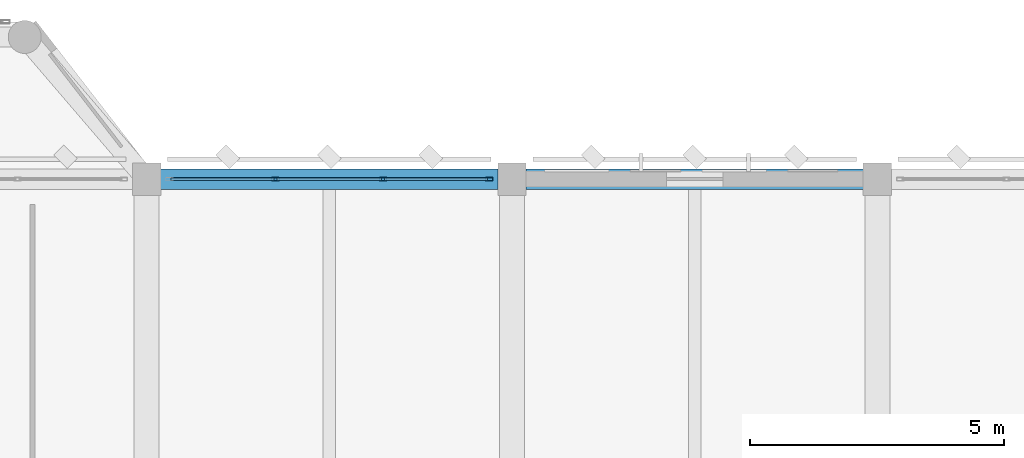
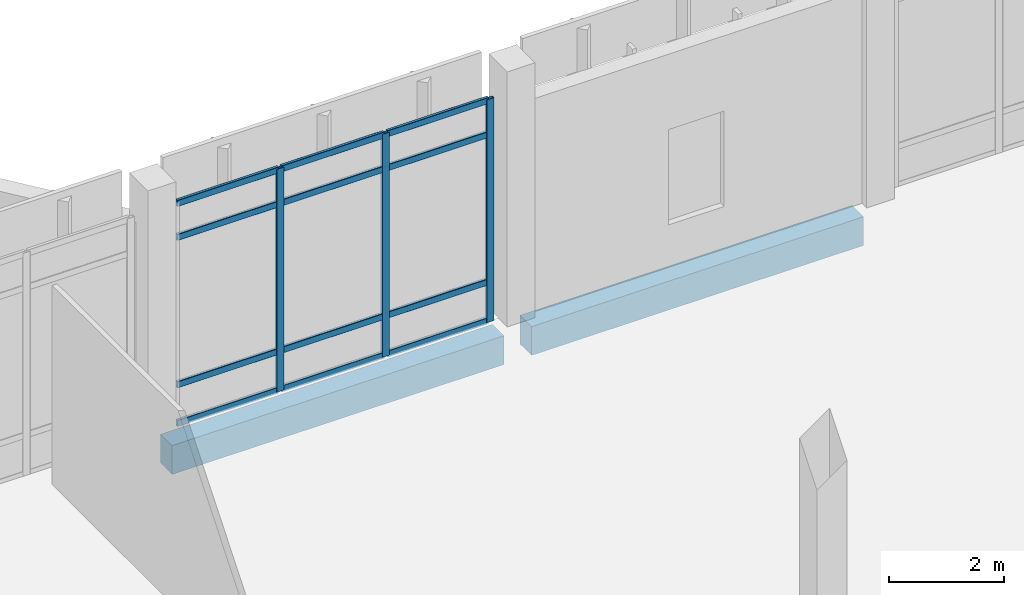
# One storey, part 133 of 180: 15 members, 2 beams, 1 element without a shape of its own.
"""IFC4 building model written with IfcOpenShell, lengths in metres."""

from ifc_helpers import new_model, si_unit, direction, frame, origin, origin_2d, place, context, subcontext, project, spatial, rectangle, hollow_rectangle, extrude, material, material_profile, profile_set, type_object, element, aggregate, save


model = new_model("IFC4")

# Units and contexts
model_context = context("Model", 3, precision=1e-05, world=origin(), true_north=direction((0.0, 1.0)))
body_context = subcontext(model_context, "Body", "Model", "MODEL_VIEW")
ifc_project = project(units=[si_unit("LENGTHUNIT", "METRE"), si_unit("AREAUNIT", "SQUARE_METRE"), si_unit("VOLUMEUNIT", "CUBIC_METRE"), si_unit("PLANEANGLEUNIT", "RADIAN"), si_unit("MASSUNIT", "GRAM", prefix="KILO")], contexts=[model_context])

# Site, building, storey
site_placement = place(None, origin())
site = spatial("IfcSite", under=ifc_project, at=site_placement, CompositionType="ELEMENT")
building_placement = place(site_placement, origin())
building = spatial("IfcBuilding", under=site, at=building_placement, Name="Lusvemor Sports Hall", CompositionType="ELEMENT")
storey_placement = place(building_placement, frame((0.0, 0.0, 5.39990234375)))
storey = spatial("IfcBuildingStorey", under=building, at=storey_placement, Name="L01", CompositionType="ELEMENT", Elevation=5.39990234375)

# Curtain wall, members
ifc_material_1 = material(Name="Thermally broken bronze-anodized aluminium", Category="aluminium")
curtain_wall_type = type_object("IfcCurtainWallType", Name="CW_WING_B", PredefinedType="NOTDEFINED", material=ifc_material_1)
curtain_wall_placement = place(storey_placement, origin())
curtain_wall = element("IfcCurtainWall", 1, at=curtain_wall_placement, inside=storey, type_object=curtain_wall_type, Name="Curtain Wall CW-L01-N-1-15", PredefinedType="NOTDEFINED")
ifc_material_2 = material(Name="Thermally broken bronze-anodized aluminium", Category="aluminium")
ifc_material_profile_1 = material_profile(ifc_material_2, hollow_rectangle(XDim=0.06494140625, YDim=0.14990234375, WallThickness=0.00390625, InnerFilletRadius=0.00390625, OuterFilletRadius=0.008056640625, at=origin_2d()), Name="CWMUL150x65x4")
ifc_profile_set_1 = profile_set([ifc_material_profile_1], Name="Thermally broken bronze-anodized aluminium")
member_type_1 = type_object("IfcMemberType", Name="CW_MUL_B", PredefinedType="MULLION", material=ifc_profile_set_1)
member_1_placement = place(storey_placement, frame((142.93994140625, 115.199951171875, 0.0), z_axis=(0.0, 0.0, 1.0), x_axis=(0.0, 1.0, 0.0)))
member_1 = element("IfcMember", 2, at=member_1_placement, type_object=member_type_1, Name="CW02 mullion 2", PredefinedType="MULLION", context=body_context, shape_type="SweptSolid", body=[
    extrude(hollow_rectangle(XDim=0.06494140625, YDim=0.14990234375, WallThickness=0.00390625, InnerFilletRadius=0.00390625, OuterFilletRadius=0.008056640625, at=origin_2d()), origin(), (0.0, 0.0, 1.0), 4.72021484375),
])
member_2_placement = place(storey_placement, frame((145.06005859375, 115.199951171875, 0.0), z_axis=(0.0, 0.0, 1.0), x_axis=(0.0, 1.0, 0.0)))
member_2 = element("IfcMember", 3, at=member_2_placement, type_object=member_type_1, Name="CW02 mullion 3", PredefinedType="MULLION", context=body_context, shape_type="SweptSolid", body=[
    extrude(hollow_rectangle(XDim=0.06494140625, YDim=0.14990234375, WallThickness=0.00390625, InnerFilletRadius=0.00390625, OuterFilletRadius=0.008056640625, at=origin_2d()), origin(), (0.0, 0.0, 1.0), 4.72021484375),
])
member_3_placement = place(storey_placement, frame((147.1474609375, 115.199951171875, 0.0), z_axis=(0.0, 0.0, 1.0), x_axis=(0.0, 1.0, 0.0)))
member_3 = element("IfcMember", 4, at=member_3_placement, type_object=member_type_1, Name="CW02 mullion 4", PredefinedType="MULLION", context=body_context, shape_type="SweptSolid", body=[
    extrude(hollow_rectangle(XDim=0.06494140625, YDim=0.14990234375, WallThickness=0.00390625, InnerFilletRadius=0.00390625, OuterFilletRadius=0.008056640625, at=origin_2d()), origin(), (0.0, 0.0, 1.0), 4.72021484375),
])
ifc_material_3 = material(Name="Thermally broken bronze-anodized aluminium", Category="aluminium")
ifc_material_profile_2 = material_profile(ifc_material_3, hollow_rectangle(XDim=0.06005859375, YDim=0.135009765625, WallThickness=0.00390625, InnerFilletRadius=0.00390625, OuterFilletRadius=0.008056640625, at=origin_2d()), Name="CWTRN135x60x4")
ifc_profile_set_2 = profile_set([ifc_material_profile_2], Name="Thermally broken bronze-anodized aluminium")
member_type_2 = type_object("IfcMemberType", Name="CW_TRN_B", PredefinedType="USERDEFINED", material=ifc_profile_set_2)
member_4_placement = place(storey_placement, frame((140.885009765625, 115.199951171875, 0.030029296875), z_axis=(1.0, 0.0, 0.0), x_axis=(0.0, 1.0, 0.0)))
member_4 = element("IfcMember", 5, at=member_4_placement, type_object=member_type_2, Name="CW02 transom 1.1", ObjectType="TRANSOM", PredefinedType="USERDEFINED", context=body_context, shape_type="SweptSolid", body=[
    extrude(hollow_rectangle(XDim=0.06005859375, YDim=0.135009765625, WallThickness=0.00390625, InnerFilletRadius=0.00390625, OuterFilletRadius=0.008056640625, at=origin_2d()), origin(), (0.0, 0.0, 1.0), 2.0224609375),
])
member_5_placement = place(storey_placement, frame((140.885009765625, 115.199951171875, 0.85009765625), z_axis=(1.0, 0.0, 0.0), x_axis=(0.0, 1.0, 0.0)))
member_5 = element("IfcMember", 6, at=member_5_placement, type_object=member_type_2, Name="CW02 transom 1.2", ObjectType="TRANSOM", PredefinedType="USERDEFINED", context=body_context, shape_type="SweptSolid", body=[
    extrude(hollow_rectangle(XDim=0.06005859375, YDim=0.135009765625, WallThickness=0.00390625, InnerFilletRadius=0.00390625, OuterFilletRadius=0.008056640625, at=origin_2d()), origin(), (0.0, 0.0, 1.0), 2.0224609375),
])
member_6_placement = place(storey_placement, frame((140.885009765625, 115.199951171875, 3.97021484375), z_axis=(1.0, 0.0, 0.0), x_axis=(0.0, 1.0, 0.0)))
member_6 = element("IfcMember", 7, at=member_6_placement, type_object=member_type_2, Name="CW02 transom 1.3", ObjectType="TRANSOM", PredefinedType="USERDEFINED", context=body_context, shape_type="SweptSolid", body=[
    extrude(hollow_rectangle(XDim=0.06005859375, YDim=0.135009765625, WallThickness=0.00390625, InnerFilletRadius=0.00390625, OuterFilletRadius=0.008056640625, at=origin_2d()), origin(), (0.0, 0.0, 1.0), 2.0224609375),
])
member_7_placement = place(storey_placement, frame((140.885009765625, 115.199951171875, 4.690185546875), z_axis=(1.0, 0.0, 0.0), x_axis=(0.0, 1.0, 0.0)))
member_7 = element("IfcMember", 8, at=member_7_placement, type_object=member_type_2, Name="CW02 transom 1.4", ObjectType="TRANSOM", PredefinedType="USERDEFINED", context=body_context, shape_type="SweptSolid", body=[
    extrude(hollow_rectangle(XDim=0.06005859375, YDim=0.135009765625, WallThickness=0.00390625, InnerFilletRadius=0.00390625, OuterFilletRadius=0.008056640625, at=origin_2d()), origin(), (0.0, 0.0, 1.0), 2.0224609375),
])
member_8_placement = place(storey_placement, frame((142.972412109375, 115.199951171875, 0.030029296875), z_axis=(1.0, 0.0, 0.0), x_axis=(0.0, 1.0, 0.0)))
member_8 = element("IfcMember", 9, at=member_8_placement, type_object=member_type_2, Name="CW02 transom 2.1", ObjectType="TRANSOM", PredefinedType="USERDEFINED", context=body_context, shape_type="SweptSolid", body=[
    extrude(hollow_rectangle(XDim=0.06005859375, YDim=0.135009765625, WallThickness=0.00390625, InnerFilletRadius=0.00390625, OuterFilletRadius=0.008056640625, at=origin_2d()), origin(), (0.0, 0.0, 1.0), 2.05517578125),
])
member_9_placement = place(storey_placement, frame((142.972412109375, 115.199951171875, 0.85009765625), z_axis=(1.0, 0.0, 0.0), x_axis=(0.0, 1.0, 0.0)))
member_9 = element("IfcMember", 10, at=member_9_placement, type_object=member_type_2, Name="CW02 transom 2.2", ObjectType="TRANSOM", PredefinedType="USERDEFINED", context=body_context, shape_type="SweptSolid", body=[
    extrude(hollow_rectangle(XDim=0.06005859375, YDim=0.135009765625, WallThickness=0.00390625, InnerFilletRadius=0.00390625, OuterFilletRadius=0.008056640625, at=origin_2d()), origin(), (0.0, 0.0, 1.0), 2.05517578125),
])
member_10_placement = place(storey_placement, frame((142.972412109375, 115.199951171875, 3.97021484375), z_axis=(1.0, 0.0, 0.0), x_axis=(0.0, 1.0, 0.0)))
member_10 = element("IfcMember", 11, at=member_10_placement, type_object=member_type_2, Name="CW02 transom 2.3", ObjectType="TRANSOM", PredefinedType="USERDEFINED", context=body_context, shape_type="SweptSolid", body=[
    extrude(hollow_rectangle(XDim=0.06005859375, YDim=0.135009765625, WallThickness=0.00390625, InnerFilletRadius=0.00390625, OuterFilletRadius=0.008056640625, at=origin_2d()), origin(), (0.0, 0.0, 1.0), 2.05517578125),
])
member_11_placement = place(storey_placement, frame((142.972412109375, 115.199951171875, 4.690185546875), z_axis=(1.0, 0.0, 0.0), x_axis=(0.0, 1.0, 0.0)))
member_11 = element("IfcMember", 12, at=member_11_placement, type_object=member_type_2, Name="CW02 transom 2.4", ObjectType="TRANSOM", PredefinedType="USERDEFINED", context=body_context, shape_type="SweptSolid", body=[
    extrude(hollow_rectangle(XDim=0.06005859375, YDim=0.135009765625, WallThickness=0.00390625, InnerFilletRadius=0.00390625, OuterFilletRadius=0.008056640625, at=origin_2d()), origin(), (0.0, 0.0, 1.0), 2.05517578125),
])
member_12_placement = place(storey_placement, frame((145.092529296875, 115.199951171875, 0.030029296875), z_axis=(1.0, 0.0, 0.0), x_axis=(0.0, 1.0, 0.0)))
member_12 = element("IfcMember", 13, at=member_12_placement, type_object=member_type_2, Name="CW02 transom 3.1", ObjectType="TRANSOM", PredefinedType="USERDEFINED", context=body_context, shape_type="SweptSolid", body=[
    extrude(hollow_rectangle(XDim=0.06005859375, YDim=0.135009765625, WallThickness=0.00390625, InnerFilletRadius=0.00390625, OuterFilletRadius=0.008056640625, at=origin_2d()), origin(), (0.0, 0.0, 1.0), 2.0224609375),
])
member_13_placement = place(storey_placement, frame((145.092529296875, 115.199951171875, 0.85009765625), z_axis=(1.0, 0.0, 0.0), x_axis=(0.0, 1.0, 0.0)))
member_13 = element("IfcMember", 14, at=member_13_placement, type_object=member_type_2, Name="CW02 transom 3.2", ObjectType="TRANSOM", PredefinedType="USERDEFINED", context=body_context, shape_type="SweptSolid", body=[
    extrude(hollow_rectangle(XDim=0.06005859375, YDim=0.135009765625, WallThickness=0.00390625, InnerFilletRadius=0.00390625, OuterFilletRadius=0.008056640625, at=origin_2d()), origin(), (0.0, 0.0, 1.0), 2.0224609375),
])
member_14_placement = place(storey_placement, frame((145.092529296875, 115.199951171875, 3.97021484375), z_axis=(1.0, 0.0, 0.0), x_axis=(0.0, 1.0, 0.0)))
member_14 = element("IfcMember", 15, at=member_14_placement, type_object=member_type_2, Name="CW02 transom 3.3", ObjectType="TRANSOM", PredefinedType="USERDEFINED", context=body_context, shape_type="SweptSolid", body=[
    extrude(hollow_rectangle(XDim=0.06005859375, YDim=0.135009765625, WallThickness=0.00390625, InnerFilletRadius=0.00390625, OuterFilletRadius=0.008056640625, at=origin_2d()), origin(), (0.0, 0.0, 1.0), 2.0224609375),
])
member_15_placement = place(storey_placement, frame((145.092529296875, 115.199951171875, 4.690185546875), z_axis=(1.0, 0.0, 0.0), x_axis=(0.0, 1.0, 0.0)))
member_15 = element("IfcMember", 16, at=member_15_placement, type_object=member_type_2, Name="CW02 transom 3.4", ObjectType="TRANSOM", PredefinedType="USERDEFINED", context=body_context, shape_type="SweptSolid", body=[
    extrude(hollow_rectangle(XDim=0.06005859375, YDim=0.135009765625, WallThickness=0.00390625, InnerFilletRadius=0.00390625, OuterFilletRadius=0.008056640625, at=origin_2d()), origin(), (0.0, 0.0, 1.0), 2.0224609375),
])
aggregate(curtain_wall, [member_1, member_2, member_3, member_4, member_5, member_6, member_7, member_8, member_9, member_10, member_11, member_12, member_13, member_14, member_15])

# Beams
ifc_material_4 = material(Name="Concrete C40/50", Category="concrete")
ifc_material_profile_3 = material_profile(ifc_material_4, rectangle(XDim=0.39990234375, YDim=0.610107421875, at=origin_2d()), Name="RC400x610")
ifc_profile_set_3 = profile_set([ifc_material_profile_3], Name="Concrete C40/50")
beam_type = type_object("IfcBeamType", Name="SPAND_EXT_650", PredefinedType="SPANDREL", material=ifc_profile_set_3)
for number, where, z_axis, x_axis, name in (
    (17, (140.676025390625, 115.199951171875, -0.56494140625), (1.0, 0.0, 0.0), (0.0, 1.0, 0.0), "Beam L01 Q:16-17"),
    (18, (147.8759765625, 115.199951171875, -0.56494140625), (1.0, 0.0, 0.0), (0.0, 1.0, 0.0), "Beam L01 Q:17-18"),
):
    element("IfcBeam", number, at=place(storey_placement, frame(where, z_axis=z_axis, x_axis=x_axis)), inside=storey, type_object=beam_type, Name=name, PredefinedType="SPANDREL", context=body_context, shape_type="SweptSolid", body=[
        extrude(rectangle(XDim=0.39990234375, YDim=0.610107421875, at=origin_2d()), origin(), (0.0, 0.0, 1.0), 6.64794921875),
    ])

save(model, "model.ifc")
